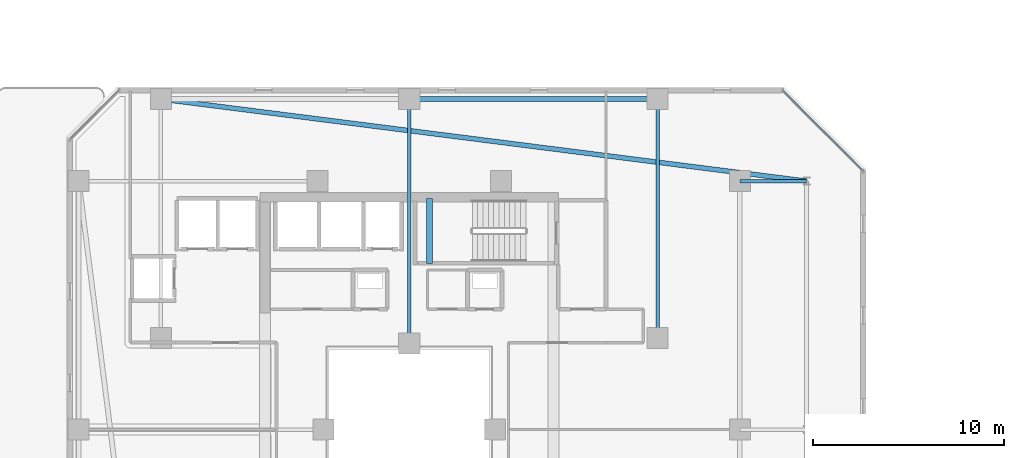
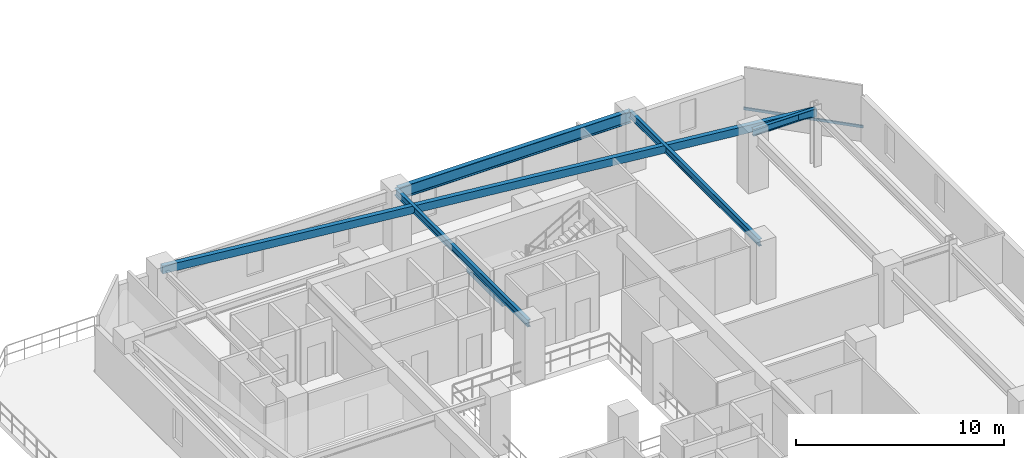
# One storey, part 8 of 30: 6 beams, 1 member, 1 element without a shape of its own.
"""IFC4 building model written with IfcOpenShell, lengths in metres."""

from ifc_helpers import new_model, si_unit, direction, frame, origin, origin_2d, place, context, subcontext, project, spatial, rectangle, hollow_rectangle, i_section, extrude, material, material_profile, profile_set, type_object, element, aggregate, save


model = new_model("IFC4")

# Units and contexts
model_context = context("Model", 3, precision=1e-05, world=origin(), true_north=direction((0.0, 1.0)))
body_context = subcontext(model_context, "Body", "Model", "MODEL_VIEW")
ifc_project = project(units=[si_unit("LENGTHUNIT", "METRE"), si_unit("AREAUNIT", "SQUARE_METRE"), si_unit("VOLUMEUNIT", "CUBIC_METRE"), si_unit("PLANEANGLEUNIT", "RADIAN"), si_unit("MASSUNIT", "GRAM", prefix="KILO")], contexts=[model_context])

# Site, building, storey
site_placement = place(None, origin())
site = spatial("IfcSite", under=ifc_project, at=site_placement, CompositionType="ELEMENT")
building_placement = place(site_placement, origin())
building = spatial("IfcBuilding", under=site, at=building_placement, Name="Thornwick Lancets Civic Towers", CompositionType="ELEMENT")
storey_placement = place(building_placement, frame((0.0, 0.0, 149.10009765625)))
storey = spatial("IfcBuildingStorey", under=building, at=storey_placement, Name="L39", CompositionType="ELEMENT", Elevation=149.10009765625)

# Beams
ifc_material_1 = material(Name="Steel S355JR", Category="steel")
ifc_material_profile_1 = material_profile(ifc_material_1, i_section(OverallWidth=0.255859375, OverallDepth=0.69287109375, WebThickness=0.014404296875, FlangeThickness=0.023681640625, FilletRadius=0.01513671875, at=origin_2d()), Name="UKB 686x254x170")
ifc_profile_set_1 = profile_set([ifc_material_profile_1], Name="Steel S355JR")
beam_type_1 = type_object("IfcBeamType", Name="BM_GIRD_686_170", PredefinedType="BEAM", material=ifc_profile_set_1)
beam_1_placement = place(storey_placement, frame((25.580078125, 44.300048828125, 2.973388671875), z_axis=(1.0, 0.0, 0.0), x_axis=(0.0, 1.0, 0.0)))
element("IfcBeam", 1, at=beam_1_placement, inside=storey, type_object=beam_type_1, Name="BM-SPINE-L39-A-7-8", PredefinedType="BEAM", context=body_context, shape_type="SweptSolid", body=[
    extrude(i_section(OverallWidth=0.255859375, OverallDepth=0.69287109375, WebThickness=0.014404296875, FlangeThickness=0.023681640625, FilletRadius=0.01513671875, at=origin_2d()), origin(), (0.0, 0.0, 1.0), 12.919921875),
])
ifc_material_profile_2 = material_profile(ifc_material_1, i_section(OverallWidth=0.179443359375, OverallDepth=0.412841796875, WebThickness=0.009521484375, FlangeThickness=0.01611328125, FilletRadius=0.01025390625, at=origin_2d()), Name="UKB 406x178x74")
ifc_profile_set_2 = profile_set([ifc_material_profile_2], Name="Steel S355JR")
beam_type_2 = type_object("IfcBeamType", Name="BM_JOIST_406_74", PredefinedType="JOIST", material=ifc_profile_set_2)
beam_2_placement = place(storey_placement, frame((42.800048828125, 40.0, 3.113525390625), z_axis=(1.0, 0.0, 0.0), x_axis=(0.0, 1.0, 0.0)))
element("IfcBeam", 2, at=beam_2_placement, inside=storey, type_object=beam_type_2, Name="BM-RAD-L39-A06", PredefinedType="JOIST", context=body_context, shape_type="SweptSolid", body=[
    extrude(i_section(OverallWidth=0.179443359375, OverallDepth=0.412841796875, WebThickness=0.009521484375, FlangeThickness=0.01611328125, FilletRadius=0.01025390625, at=origin_2d()), origin(), (0.0, 0.0, 1.0), 3.5),
])
beam_3_placement = place(storey_placement, frame((25.5, 31.5, 3.113525390625), z_axis=(0.0, 1.0, 0.0), x_axis=(-1.0, 0.0, 0.0)))
element("IfcBeam", 3, at=beam_3_placement, inside=storey, type_object=beam_type_2, Name="BM-RADIN-L39-A08", PredefinedType="JOIST", context=body_context, shape_type="SweptSolid", body=[
    extrude(i_section(OverallWidth=0.179443359375, OverallDepth=0.412841796875, WebThickness=0.009521484375, FlangeThickness=0.01611328125, FilletRadius=0.01025390625, at=origin_2d()), origin(), (0.0, 0.0, 1.0), 12.800048828125),
])
beam_4_placement = place(storey_placement, frame((38.5, 31.800048828125, 3.113525390625), z_axis=(0.0, 1.0, 0.0), x_axis=(-1.0, 0.0, 0.0)))
element("IfcBeam", 4, at=beam_4_placement, inside=storey, type_object=beam_type_2, Name="BM-RADIN-L39-A09", PredefinedType="JOIST", context=body_context, shape_type="SweptSolid", body=[
    extrude(i_section(OverallWidth=0.179443359375, OverallDepth=0.412841796875, WebThickness=0.009521484375, FlangeThickness=0.01611328125, FilletRadius=0.01025390625, at=origin_2d()), origin(), (0.0, 0.0, 1.0), 12.5),
])
ifc_material_profile_3 = material_profile(ifc_material_1, hollow_rectangle(XDim=0.25, YDim=0.449951171875, WallThickness=0.01611328125, at=origin_2d()), Name="RHS 450x250x16")
ifc_profile_set_3 = profile_set([ifc_material_profile_3], Name="Steel S355JR")
beam_type_3 = type_object("IfcBeamType", Name="BM_RING_RHS450", PredefinedType="BEAM", material=ifc_profile_set_3)
beam_5_placement = place(storey_placement, frame((46.300048828125, 40.0, 3.094970703125), z_axis=(-0.992004437051, 0.126202998662, 0.0), x_axis=(-0.126202998662, -0.992004437051, 0.0)))
element("IfcBeam", 5, at=beam_5_placement, inside=storey, type_object=beam_type_3, Name="BM-CHAMF-L39-A-C1", PredefinedType="BEAM", context=body_context, shape_type="SweptSolid", body=[
    extrude(hollow_rectangle(XDim=0.25, YDim=0.449951171875, WallThickness=0.01611328125, at=origin_2d()), origin(), (0.0, 0.0, 1.0), 34.072509765625),
])
ifc_material_2 = material(Name="Concrete C40/50", Category="concrete")
ifc_material_profile_4 = material_profile(ifc_material_2, rectangle(XDim=0.300048828125, YDim=0.35009765625, at=origin_2d()), Name="RC 300x350")
ifc_profile_set_4 = profile_set([ifc_material_profile_4], Name="Concrete C40/50")
beam_type_4 = type_object("IfcBeamType", Name="BM_STAIR_LDG", PredefinedType="BEAM", material=ifc_profile_set_4)
beam_6_placement = place(storey_placement, frame((26.56494140625, 39.10009765625, 1.3779296875), z_axis=(0.0, -1.0, 0.0), x_axis=(1.0, 0.0, 0.0)))
element("IfcBeam", 6, at=beam_6_placement, inside=storey, type_object=beam_type_4, Name="L39 ST-A2 Landing Support Beam 1", PredefinedType="BEAM", context=body_context, shape_type="SweptSolid", body=[
    extrude(rectangle(XDim=0.300048828125, YDim=0.35009765625, at=origin_2d()), origin(), (0.0, 0.0, 1.0), 3.400146484375),
])

# Curtain wall, member
ifc_material_3 = material(Name="Mid-zone chamfered-corner unitised glass curtain wall", Category="glass")
curtain_wall_type = type_object("IfcCurtainWallType", Name="CW_SYS_04", PredefinedType="NOTDEFINED", material=ifc_material_3)
curtain_wall_placement = place(storey_placement, origin())
curtain_wall = element("IfcCurtainWall", 7, at=curtain_wall_placement, inside=storey, type_object=curtain_wall_type, Name="L39 Curtain Wall CW-L39-A-E3", PredefinedType="NOTDEFINED")
ifc_material_4 = material(Name="Thermally broken bronze aluminium S355", Category="steel")
ifc_material_profile_5 = material_profile(ifc_material_4, hollow_rectangle(XDim=0.074951171875, YDim=0.14990234375, WallThickness=0.0048828125, at=origin_2d()), Name="RHS 150x75x5")
ifc_profile_set_5 = profile_set([ifc_material_profile_5], Name="Thermally broken bronze aluminium S355")
member_type = type_object("IfcMemberType", Name="CW_TRN_150", PredefinedType="USERDEFINED", material=ifc_profile_set_5)
member_placement = place(storey_placement, frame((49.2451171875, 40.5400390625, 0.849853515625), z_axis=(-0.707106781187, 0.707106781187, 0.0), x_axis=(-0.707106781187, -0.707106781187, 0.0)))
member = element("IfcMember", 8, at=member_placement, type_object=member_type, Name="CW-L39-A-E3 Transom 0", ObjectType="TRANSOM", PredefinedType="USERDEFINED", context=body_context, shape_type="SweptSolid", body=[
    extrude(hollow_rectangle(XDim=0.074951171875, YDim=0.14990234375, WallThickness=0.0048828125, at=origin_2d()), origin(), (0.0, 0.0, 1.0), 5.94677734375),
])
aggregate(curtain_wall, [member])

save(model, "model.ifc")
